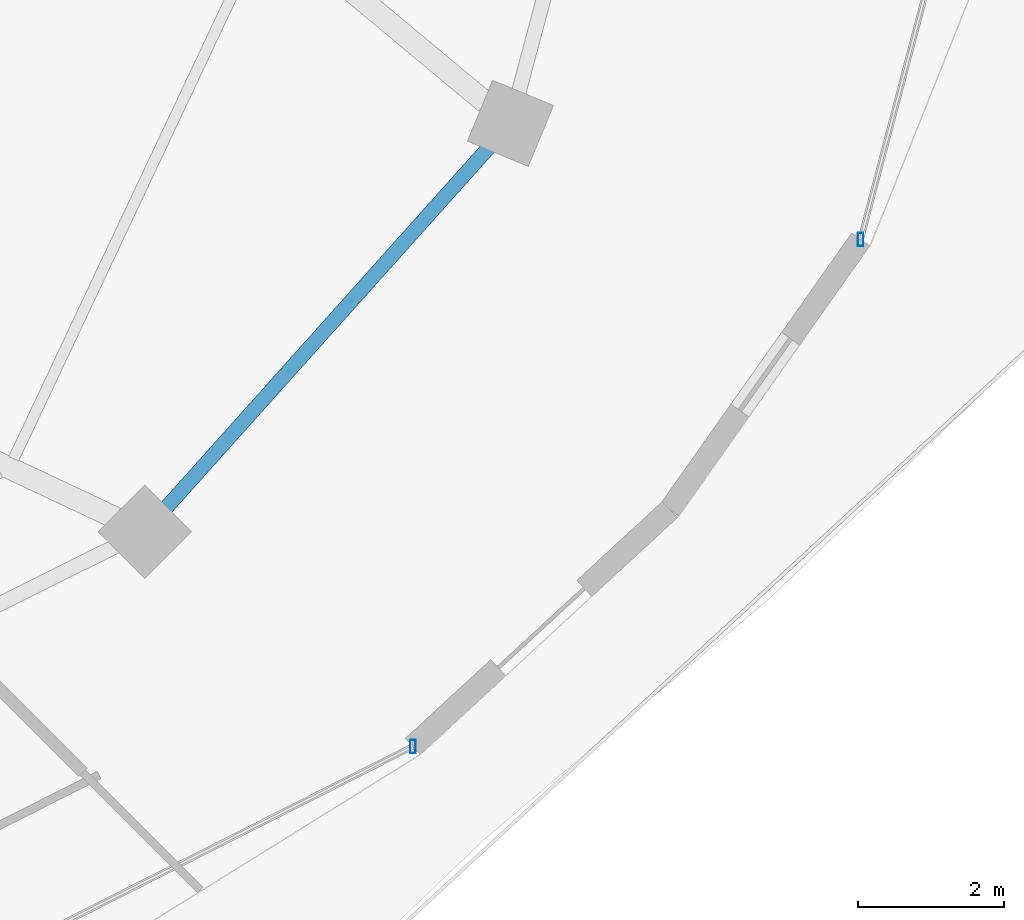
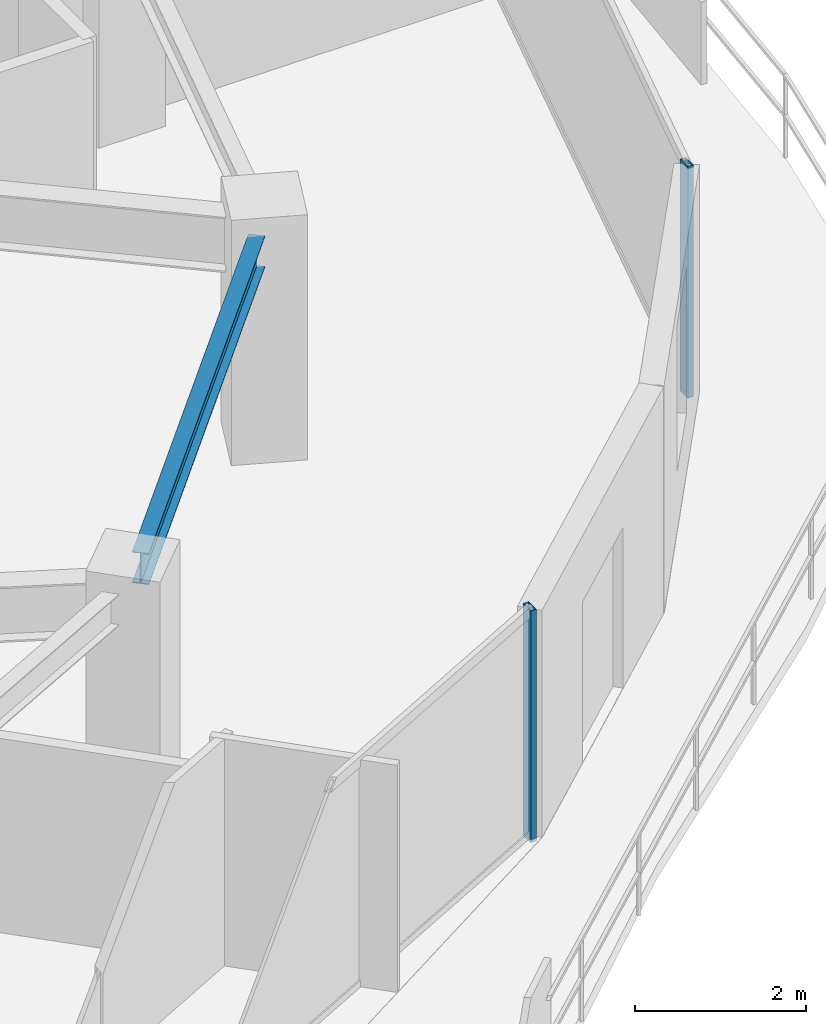
# One storey, part 13 of 33: 2 members, 1 beam, 2 elements without a shape of their own.
"""IFC4 building model written with IfcOpenShell, lengths in metres."""

from ifc_helpers import new_model, si_unit, direction, frame, origin, origin_2d, place, context, subcontext, project, spatial, hollow_rectangle, i_section, extrude, material, material_profile, profile_set, type_object, element, aggregate, save


model = new_model("IFC4")

# Units and contexts
model_context = context("Model", 3, precision=1e-05, world=origin(), true_north=direction((0.0, 1.0)))
body_context = subcontext(model_context, "Body", "Model", "MODEL_VIEW")
ifc_project = project(units=[si_unit("LENGTHUNIT", "METRE"), si_unit("AREAUNIT", "SQUARE_METRE"), si_unit("VOLUMEUNIT", "CUBIC_METRE"), si_unit("PLANEANGLEUNIT", "RADIAN"), si_unit("MASSUNIT", "GRAM", prefix="KILO")], contexts=[model_context])

# Site, building, storey
site_placement = place(None, origin())
site = spatial("IfcSite", under=ifc_project, at=site_placement, CompositionType="ELEMENT")
building_placement = place(site_placement, origin())
building = spatial("IfcBuilding", under=site, at=building_placement, Name="Vorneva Point Tower", CompositionType="ELEMENT")
storey_placement = place(building_placement, frame((0.0, 0.0, 196.60009765625)))
storey = spatial("IfcBuildingStorey", under=building, at=storey_placement, Name="L53", CompositionType="ELEMENT", Elevation=196.60009765625)

# Beam
ifc_material_1 = material(Name="Steel S355", Category="steel")
ifc_material_profile_1 = material_profile(ifc_material_1, i_section(OverallWidth=0.198974609375, OverallDepth=0.446044921875, WebThickness=0.008056640625, FlangeThickness=0.011962890625, at=origin_2d()), Name="45B1")
ifc_profile_set_1 = profile_set([ifc_material_profile_1], Name="Steel S355")
beam_type = type_object("IfcBeamType", Name="BM-SPN-45B1", PredefinedType="SPANDREL", material=ifc_profile_set_1)
beam_placement = place(storey_placement, frame((54.589111328125, 14.161865234375, 3.016845703125), z_axis=(0.66706970547, 0.744995307397, 0.0), x_axis=(-0.744995307397, 0.66706970547, 0.0)))
element("IfcBeam", 1, at=beam_placement, inside=storey, type_object=beam_type, Name="L53 Perimeter Spandrel Ring Beam 15", PredefinedType="SPANDREL", context=body_context, shape_type="SweptSolid", body=[
    extrude(i_section(OverallWidth=0.198974609375, OverallDepth=0.446044921875, WebThickness=0.008056640625, FlangeThickness=0.011962890625, at=origin_2d()), origin(), (0.0, 0.0, 1.0), 6.6201171875),
])

# Curtain wall, member
ifc_material_2 = material(Name="Pale anodised aluminium", Category="aluminium")
curtain_wall_type = type_object("IfcCurtainWallType", Name="CW-RES-SYS", PredefinedType="NOTDEFINED", material=ifc_material_2)
curtain_wall_1_placement = place(storey_placement, origin())
curtain_wall_1 = element("IfcCurtainWall", 2, at=curtain_wall_1_placement, inside=storey, type_object=curtain_wall_type, Name="L53 Unitised Curtain Wall CW-L53-R01", PredefinedType="NOTDEFINED")
ifc_material_profile_2 = material_profile(ifc_material_2, hollow_rectangle(XDim=0.074951171875, YDim=0.179931640625, WallThickness=0.00390625, at=origin_2d()), Name="AL-MUL 180x75x4")
ifc_profile_set_2 = profile_set([ifc_material_profile_2], Name="Pale anodised aluminium")
member_type = type_object("IfcMemberType", Name="CW-MUL-180", PredefinedType="MULLION", material=ifc_profile_set_2)
member_1_placement = place(storey_placement, frame((64.0810546875, 17.82958984375, -0.0400390625), z_axis=(0.0, 0.0, 1.0), x_axis=(1.0, 0.0, 0.0)))
member_1 = element("IfcMember", 3, at=member_1_placement, type_object=member_type, Name="CW-L53-R01 Mullion 01", PredefinedType="MULLION", context=body_context, shape_type="SweptSolid", body=[
    extrude(hollow_rectangle(XDim=0.074951171875, YDim=0.179931640625, WallThickness=0.00390625, at=origin_2d()), origin(), (0.0, 0.0, 1.0), 3.31005859375),
])
aggregate(curtain_wall_1, [member_1])

curtain_wall_2_placement = place(storey_placement, origin())
curtain_wall_2 = element("IfcCurtainWall", 4, at=curtain_wall_2_placement, inside=storey, type_object=curtain_wall_type, Name="L53 Unitised Curtain Wall CW-L53-R04", PredefinedType="NOTDEFINED")
member_2_placement = place(storey_placement, frame((57.961669921875, 10.9033203125, -0.0400390625), z_axis=(0.0, 0.0, 1.0), x_axis=(1.0, 0.0, 0.0)))
member_2 = element("IfcMember", 5, at=member_2_placement, type_object=member_type, Name="CW-L53-R04 Mullion 05", PredefinedType="MULLION", context=body_context, shape_type="SweptSolid", body=[
    extrude(hollow_rectangle(XDim=0.074951171875, YDim=0.179931640625, WallThickness=0.00390625, at=origin_2d()), origin(), (0.0, 0.0, 1.0), 3.31005859375),
])
aggregate(curtain_wall_2, [member_2])

save(model, "model.ifc")
